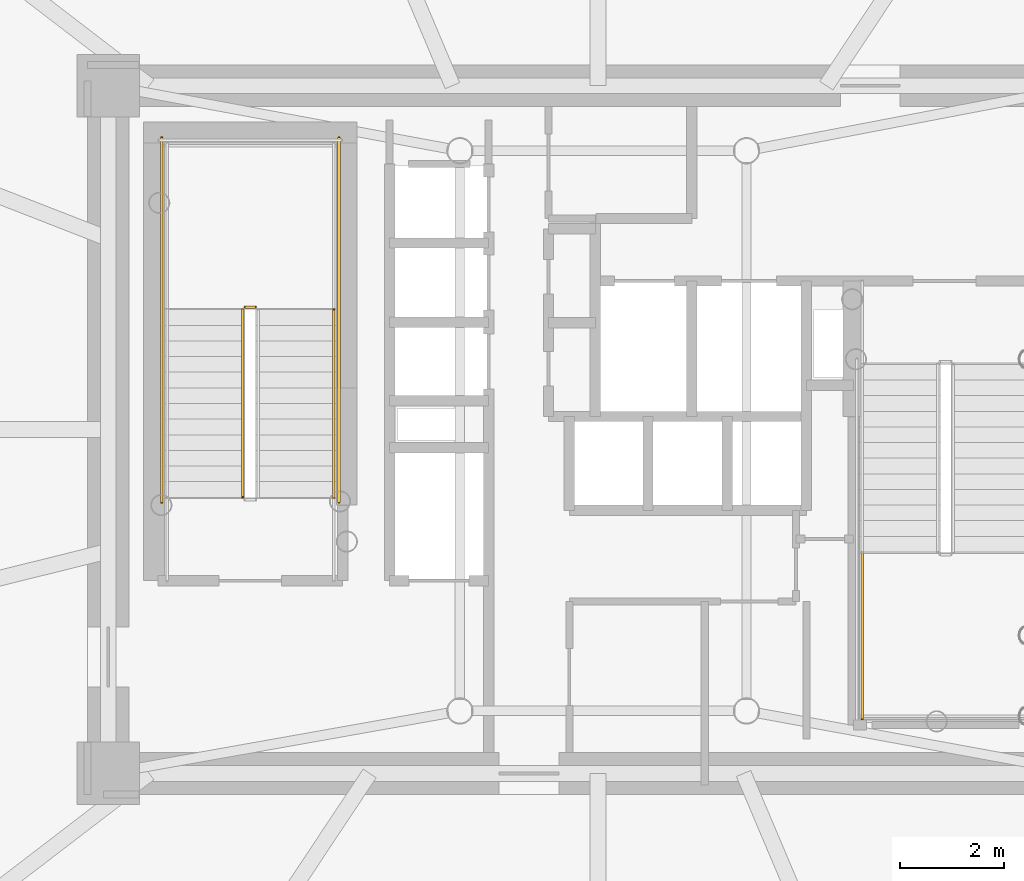
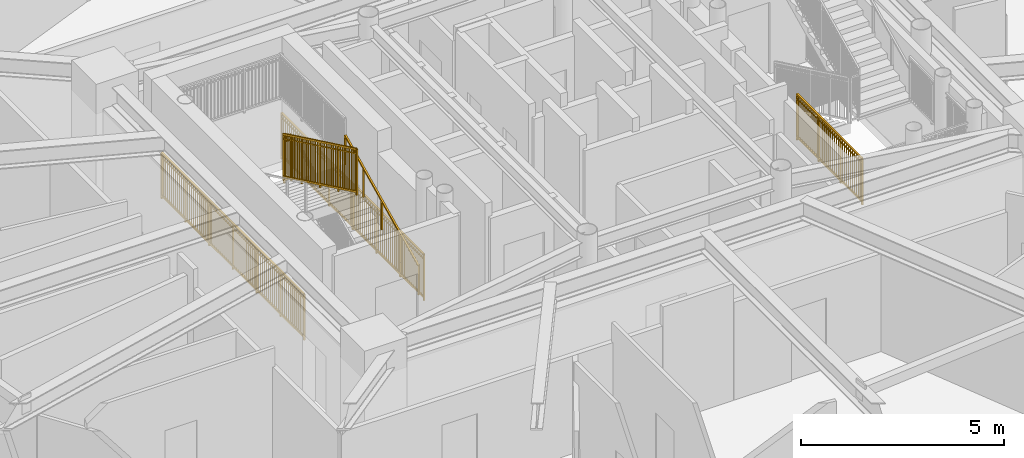
# One storey, part 16 of 21: 6 railings.
"""IFC4 building model written with IfcOpenShell, lengths in metres."""

from ifc_helpers import new_model, si_unit, direction, frame, origin, origin_2d, place, context, subcontext, project, spatial, rectangle, extrude, source, transform, mapped, material, type_object, element, save


model = new_model("IFC4")

# Units and contexts
model_context = context("Model", 3, precision=1e-05, world=origin(), true_north=direction((0.0, 1.0)))
body_context = subcontext(model_context, "Body", "Model", "MODEL_VIEW")
ifc_project = project(units=[si_unit("LENGTHUNIT", "METRE"), si_unit("AREAUNIT", "SQUARE_METRE"), si_unit("VOLUMEUNIT", "CUBIC_METRE"), si_unit("PLANEANGLEUNIT", "RADIAN"), si_unit("MASSUNIT", "GRAM", prefix="KILO")], contexts=[model_context])

# Site, building, storey
site_placement = place(None, origin())
site = spatial("IfcSite", under=ifc_project, at=site_placement, CompositionType="ELEMENT")
building_placement = place(site_placement, origin())
building = spatial("IfcBuilding", under=site, at=building_placement, Name="Linh Dai School and Residence Tower", CompositionType="ELEMENT")
storey_placement = place(building_placement, frame((0.0, 0.0, 156.14990234375)))
storey = spatial("IfcBuildingStorey", under=building, at=storey_placement, Name="L37", CompositionType="ELEMENT", Elevation=156.14990234375)

# Railings
ifc_material_1 = material(Name="Structural Steel S355JR", Category="steel")
railing_type_1 = type_object("IfcRailingType", Name="RL-ST-GUARD-1400", PredefinedType="GUARDRAIL", material=ifc_material_1)
shared_shape_1 = source(origin(), body_context, "Body", "SweptSolid", [
    extrude(rectangle(XDim=0.048095703125, YDim=0.048095703125, at=origin_2d()), frame((0.0, 0.0, 1.3759765625), z_axis=(-1.0, 0.0, 0.0), x_axis=(0.0, -1.0, 0.0)), (0.0, 0.0, 1.0), 0.199951171875),
    extrude(rectangle(XDim=0.048095703125, YDim=0.048095703125, at=origin_2d()), frame((0.0, 0.0, 0.10009765625), z_axis=(-1.0, 0.0, 0.0), x_axis=(0.0, -1.0, 0.0)), (0.0, 0.0, 1.0), 0.199951171875),
    extrude(rectangle(XDim=0.030029296875, YDim=0.030029296875, at=origin_2d()), frame((0.0, 0.0, 1.239990234375), z_axis=(-1.0, 0.0, 0.0), x_axis=(0.0, -1.0, 0.0)), (0.0, 0.0, 1.0), 0.199951171875),
    extrude(rectangle(XDim=0.0419921875, YDim=0.0419921875, at=origin_2d()), origin(), (0.0, 0.0, 1.0), 1.3759765625),
    extrude(rectangle(XDim=0.0419921875, YDim=0.0419921875, at=origin_2d()), frame((-0.199951171875, 0.0, 0.0)), (0.0, 0.0, 1.0), 1.3759765625),
])
railing_1_placement = place(storey_placement, frame((29.429931640625, 29.35009765625, 1.875)))
element("IfcRailing", 1, at=railing_1_placement, inside=storey, type_object=railing_type_1, Name="L37 ST1 stair guard 2", PredefinedType="GUARDRAIL", context=body_context, shape_type="MappedRepresentation", body=[
    mapped(shared_shape_1, transform((0.0, 0.0, 0.0), x_axis=(1.0, 0.0, 0.0), y_axis=(0.0, 1.0, 0.0), z_axis=(0.0, 0.0, 1.0), scale=1.0)),
])
shared_shape_2 = source(origin(), body_context, "Body", "SweptSolid", [
    extrude(rectangle(XDim=0.048095703125, YDim=0.048095703125, at=origin_2d()), frame((0.0, 0.0, 1.3759765625), z_axis=(0.0, 1.0, 0.0), x_axis=(-1.0, 0.0, 0.0)), (0.0, 0.0, 1.0), 7.0),
    extrude(rectangle(XDim=0.048095703125, YDim=0.048095703125, at=origin_2d()), frame((0.0, 0.0, 0.10009765625), z_axis=(0.0, 1.0, 0.0), x_axis=(-1.0, 0.0, 0.0)), (0.0, 0.0, 1.0), 7.0),
    extrude(rectangle(XDim=0.030029296875, YDim=0.030029296875, at=origin_2d()), frame((0.0, 0.0, 1.239990234375), z_axis=(0.0, 1.0, 0.0), x_axis=(-1.0, 0.0, 0.0)), (0.0, 0.0, 1.0), 7.0),
    extrude(rectangle(XDim=0.02001953125, YDim=0.02001953125, at=origin_2d()), frame((0.0, 0.09716796875, 0.10009765625)), (0.0, 0.0, 1.0), 1.251708984375),
    extrude(rectangle(XDim=0.02001953125, YDim=0.02001953125, at=origin_2d()), frame((0.0, 0.1943359375, 0.10009765625)), (0.0, 0.0, 1.0), 1.251708984375),
    extrude(rectangle(XDim=0.02001953125, YDim=0.02001953125, at=origin_2d()), frame((0.0, 0.291748046875, 0.10009765625)), (0.0, 0.0, 1.0), 1.251708984375),
    extrude(rectangle(XDim=0.02001953125, YDim=0.02001953125, at=origin_2d()), frame((0.0, 0.388916015625, 0.10009765625)), (0.0, 0.0, 1.0), 1.251708984375),
    extrude(rectangle(XDim=0.02001953125, YDim=0.02001953125, at=origin_2d()), frame((0.0, 0.486083984375, 0.10009765625)), (0.0, 0.0, 1.0), 1.251708984375),
    extrude(rectangle(XDim=0.02001953125, YDim=0.02001953125, at=origin_2d()), frame((0.0, 0.583251953125, 0.10009765625)), (0.0, 0.0, 1.0), 1.251708984375),
    extrude(rectangle(XDim=0.02001953125, YDim=0.02001953125, at=origin_2d()), frame((0.0, 0.6806640625, 0.10009765625)), (0.0, 0.0, 1.0), 1.251708984375),
    extrude(rectangle(XDim=0.02001953125, YDim=0.02001953125, at=origin_2d()), frame((0.0, 0.77783203125, 0.10009765625)), (0.0, 0.0, 1.0), 1.251708984375),
    extrude(rectangle(XDim=0.02001953125, YDim=0.02001953125, at=origin_2d()), frame((0.0, 0.875, 0.10009765625)), (0.0, 0.0, 1.0), 1.251708984375),
    extrude(rectangle(XDim=0.02001953125, YDim=0.02001953125, at=origin_2d()), frame((0.0, 0.97216796875, 0.10009765625)), (0.0, 0.0, 1.0), 1.251708984375),
    extrude(rectangle(XDim=0.02001953125, YDim=0.02001953125, at=origin_2d()), frame((0.0, 1.0693359375, 0.10009765625)), (0.0, 0.0, 1.0), 1.251708984375),
    extrude(rectangle(XDim=0.02001953125, YDim=0.02001953125, at=origin_2d()), frame((0.0, 1.263916015625, 0.10009765625)), (0.0, 0.0, 1.0), 1.251708984375),
    extrude(rectangle(XDim=0.02001953125, YDim=0.02001953125, at=origin_2d()), frame((0.0, 1.361083984375, 0.10009765625)), (0.0, 0.0, 1.0), 1.251708984375),
    extrude(rectangle(XDim=0.02001953125, YDim=0.02001953125, at=origin_2d()), frame((0.0, 1.458251953125, 0.10009765625)), (0.0, 0.0, 1.0), 1.251708984375),
    extrude(rectangle(XDim=0.02001953125, YDim=0.02001953125, at=origin_2d()), frame((0.0, 1.5556640625, 0.10009765625)), (0.0, 0.0, 1.0), 1.251708984375),
    extrude(rectangle(XDim=0.02001953125, YDim=0.02001953125, at=origin_2d()), frame((0.0, 1.65283203125, 0.10009765625)), (0.0, 0.0, 1.0), 1.251708984375),
    extrude(rectangle(XDim=0.02001953125, YDim=0.02001953125, at=origin_2d()), frame((0.0, 1.75, 0.10009765625)), (0.0, 0.0, 1.0), 1.251708984375),
    extrude(rectangle(XDim=0.02001953125, YDim=0.02001953125, at=origin_2d()), frame((0.0, 1.84716796875, 0.10009765625)), (0.0, 0.0, 1.0), 1.251708984375),
    extrude(rectangle(XDim=0.02001953125, YDim=0.02001953125, at=origin_2d()), frame((0.0, 1.9443359375, 0.10009765625)), (0.0, 0.0, 1.0), 1.251708984375),
    extrude(rectangle(XDim=0.02001953125, YDim=0.02001953125, at=origin_2d()), frame((0.0, 2.041748046875, 0.10009765625)), (0.0, 0.0, 1.0), 1.251708984375),
    extrude(rectangle(XDim=0.02001953125, YDim=0.02001953125, at=origin_2d()), frame((0.0, 2.138916015625, 0.10009765625)), (0.0, 0.0, 1.0), 1.251708984375),
    extrude(rectangle(XDim=0.02001953125, YDim=0.02001953125, at=origin_2d()), frame((0.0, 2.236083984375, 0.10009765625)), (0.0, 0.0, 1.0), 1.251708984375),
    extrude(rectangle(XDim=0.02001953125, YDim=0.02001953125, at=origin_2d()), frame((0.0, 2.4306640625, 0.10009765625)), (0.0, 0.0, 1.0), 1.251708984375),
    extrude(rectangle(XDim=0.02001953125, YDim=0.02001953125, at=origin_2d()), frame((0.0, 2.52783203125, 0.10009765625)), (0.0, 0.0, 1.0), 1.251708984375),
    extrude(rectangle(XDim=0.02001953125, YDim=0.02001953125, at=origin_2d()), frame((0.0, 2.625, 0.10009765625)), (0.0, 0.0, 1.0), 1.251708984375),
    extrude(rectangle(XDim=0.02001953125, YDim=0.02001953125, at=origin_2d()), frame((0.0, 2.72216796875, 0.10009765625)), (0.0, 0.0, 1.0), 1.251708984375),
    extrude(rectangle(XDim=0.02001953125, YDim=0.02001953125, at=origin_2d()), frame((0.0, 2.8193359375, 0.10009765625)), (0.0, 0.0, 1.0), 1.251708984375),
    extrude(rectangle(XDim=0.02001953125, YDim=0.02001953125, at=origin_2d()), frame((0.0, 2.916748046875, 0.10009765625)), (0.0, 0.0, 1.0), 1.251708984375),
    extrude(rectangle(XDim=0.02001953125, YDim=0.02001953125, at=origin_2d()), frame((0.0, 3.013916015625, 0.10009765625)), (0.0, 0.0, 1.0), 1.251708984375),
    extrude(rectangle(XDim=0.02001953125, YDim=0.02001953125, at=origin_2d()), frame((0.0, 3.111083984375, 0.10009765625)), (0.0, 0.0, 1.0), 1.251708984375),
    extrude(rectangle(XDim=0.02001953125, YDim=0.02001953125, at=origin_2d()), frame((0.0, 3.208251953125, 0.10009765625)), (0.0, 0.0, 1.0), 1.251708984375),
    extrude(rectangle(XDim=0.02001953125, YDim=0.02001953125, at=origin_2d()), frame((0.0, 3.3056640625, 0.10009765625)), (0.0, 0.0, 1.0), 1.251708984375),
    extrude(rectangle(XDim=0.02001953125, YDim=0.02001953125, at=origin_2d()), frame((0.0, 3.40283203125, 0.10009765625)), (0.0, 0.0, 1.0), 1.251708984375),
    extrude(rectangle(XDim=0.02001953125, YDim=0.02001953125, at=origin_2d()), frame((0.0, 3.59716796875, 0.10009765625)), (0.0, 0.0, 1.0), 1.251708984375),
    extrude(rectangle(XDim=0.02001953125, YDim=0.02001953125, at=origin_2d()), frame((0.0, 3.6943359375, 0.10009765625)), (0.0, 0.0, 1.0), 1.251708984375),
    extrude(rectangle(XDim=0.02001953125, YDim=0.02001953125, at=origin_2d()), frame((0.0, 3.791748046875, 0.10009765625)), (0.0, 0.0, 1.0), 1.251708984375),
    extrude(rectangle(XDim=0.02001953125, YDim=0.02001953125, at=origin_2d()), frame((0.0, 3.888916015625, 0.10009765625)), (0.0, 0.0, 1.0), 1.251708984375),
    extrude(rectangle(XDim=0.02001953125, YDim=0.02001953125, at=origin_2d()), frame((0.0, 3.986083984375, 0.10009765625)), (0.0, 0.0, 1.0), 1.251708984375),
    extrude(rectangle(XDim=0.02001953125, YDim=0.02001953125, at=origin_2d()), frame((0.0, 4.083251953125, 0.10009765625)), (0.0, 0.0, 1.0), 1.251708984375),
    extrude(rectangle(XDim=0.02001953125, YDim=0.02001953125, at=origin_2d()), frame((0.0, 4.1806640625, 0.10009765625)), (0.0, 0.0, 1.0), 1.251708984375),
    extrude(rectangle(XDim=0.02001953125, YDim=0.02001953125, at=origin_2d()), frame((0.0, 4.27783203125, 0.10009765625)), (0.0, 0.0, 1.0), 1.251708984375),
    extrude(rectangle(XDim=0.02001953125, YDim=0.02001953125, at=origin_2d()), frame((0.0, 4.375, 0.10009765625)), (0.0, 0.0, 1.0), 1.251708984375),
    extrude(rectangle(XDim=0.02001953125, YDim=0.02001953125, at=origin_2d()), frame((0.0, 4.47216796875, 0.10009765625)), (0.0, 0.0, 1.0), 1.251708984375),
    extrude(rectangle(XDim=0.02001953125, YDim=0.02001953125, at=origin_2d()), frame((0.0, 4.5693359375, 0.10009765625)), (0.0, 0.0, 1.0), 1.251708984375),
    extrude(rectangle(XDim=0.02001953125, YDim=0.02001953125, at=origin_2d()), frame((0.0, 4.763916015625, 0.10009765625)), (0.0, 0.0, 1.0), 1.251708984375),
    extrude(rectangle(XDim=0.02001953125, YDim=0.02001953125, at=origin_2d()), frame((0.0, 4.861083984375, 0.10009765625)), (0.0, 0.0, 1.0), 1.251708984375),
    extrude(rectangle(XDim=0.02001953125, YDim=0.02001953125, at=origin_2d()), frame((0.0, 4.958251953125, 0.10009765625)), (0.0, 0.0, 1.0), 1.251708984375),
    extrude(rectangle(XDim=0.02001953125, YDim=0.02001953125, at=origin_2d()), frame((0.0, 5.0556640625, 0.10009765625)), (0.0, 0.0, 1.0), 1.251708984375),
    extrude(rectangle(XDim=0.02001953125, YDim=0.02001953125, at=origin_2d()), frame((0.0, 5.15283203125, 0.10009765625)), (0.0, 0.0, 1.0), 1.251708984375),
    extrude(rectangle(XDim=0.02001953125, YDim=0.02001953125, at=origin_2d()), frame((0.0, 5.25, 0.10009765625)), (0.0, 0.0, 1.0), 1.251708984375),
    extrude(rectangle(XDim=0.02001953125, YDim=0.02001953125, at=origin_2d()), frame((0.0, 5.34716796875, 0.10009765625)), (0.0, 0.0, 1.0), 1.251708984375),
    extrude(rectangle(XDim=0.02001953125, YDim=0.02001953125, at=origin_2d()), frame((0.0, 5.4443359375, 0.10009765625)), (0.0, 0.0, 1.0), 1.251708984375),
    extrude(rectangle(XDim=0.02001953125, YDim=0.02001953125, at=origin_2d()), frame((0.0, 5.541748046875, 0.10009765625)), (0.0, 0.0, 1.0), 1.251708984375),
    extrude(rectangle(XDim=0.02001953125, YDim=0.02001953125, at=origin_2d()), frame((0.0, 5.638916015625, 0.10009765625)), (0.0, 0.0, 1.0), 1.251708984375),
    extrude(rectangle(XDim=0.02001953125, YDim=0.02001953125, at=origin_2d()), frame((0.0, 5.736083984375, 0.10009765625)), (0.0, 0.0, 1.0), 1.251708984375),
    extrude(rectangle(XDim=0.02001953125, YDim=0.02001953125, at=origin_2d()), frame((0.0, 5.9306640625, 0.10009765625)), (0.0, 0.0, 1.0), 1.251708984375),
    extrude(rectangle(XDim=0.02001953125, YDim=0.02001953125, at=origin_2d()), frame((0.0, 6.02783203125, 0.10009765625)), (0.0, 0.0, 1.0), 1.251708984375),
    extrude(rectangle(XDim=0.02001953125, YDim=0.02001953125, at=origin_2d()), frame((0.0, 6.125, 0.10009765625)), (0.0, 0.0, 1.0), 1.251708984375),
    extrude(rectangle(XDim=0.02001953125, YDim=0.02001953125, at=origin_2d()), frame((0.0, 6.22216796875, 0.10009765625)), (0.0, 0.0, 1.0), 1.251708984375),
    extrude(rectangle(XDim=0.02001953125, YDim=0.02001953125, at=origin_2d()), frame((0.0, 6.3193359375, 0.10009765625)), (0.0, 0.0, 1.0), 1.251708984375),
    extrude(rectangle(XDim=0.02001953125, YDim=0.02001953125, at=origin_2d()), frame((0.0, 6.416748046875, 0.10009765625)), (0.0, 0.0, 1.0), 1.251708984375),
    extrude(rectangle(XDim=0.02001953125, YDim=0.02001953125, at=origin_2d()), frame((0.0, 6.513916015625, 0.10009765625)), (0.0, 0.0, 1.0), 1.251708984375),
    extrude(rectangle(XDim=0.02001953125, YDim=0.02001953125, at=origin_2d()), frame((0.0, 6.611083984375, 0.10009765625)), (0.0, 0.0, 1.0), 1.251708984375),
    extrude(rectangle(XDim=0.02001953125, YDim=0.02001953125, at=origin_2d()), frame((0.0, 6.708251953125, 0.10009765625)), (0.0, 0.0, 1.0), 1.251708984375),
    extrude(rectangle(XDim=0.02001953125, YDim=0.02001953125, at=origin_2d()), frame((0.0, 6.8056640625, 0.10009765625)), (0.0, 0.0, 1.0), 1.251708984375),
    extrude(rectangle(XDim=0.02001953125, YDim=0.02001953125, at=origin_2d()), frame((0.0, 6.90283203125, 0.10009765625)), (0.0, 0.0, 1.0), 1.251708984375),
    extrude(rectangle(XDim=0.0419921875, YDim=0.0419921875, at=origin_2d()), origin(), (0.0, 0.0, 1.0), 1.3759765625),
    extrude(rectangle(XDim=0.0419921875, YDim=0.0419921875, at=origin_2d()), frame((0.0, 1.166748046875, 0.0)), (0.0, 0.0, 1.0), 1.3759765625),
    extrude(rectangle(XDim=0.0419921875, YDim=0.0419921875, at=origin_2d()), frame((0.0, 2.333251953125, 0.0)), (0.0, 0.0, 1.0), 1.3759765625),
    extrude(rectangle(XDim=0.0419921875, YDim=0.0419921875, at=origin_2d()), frame((0.0, 3.5, 0.0)), (0.0, 0.0, 1.0), 1.3759765625),
    extrude(rectangle(XDim=0.0419921875, YDim=0.0419921875, at=origin_2d()), frame((0.0, 4.666748046875, 0.0)), (0.0, 0.0, 1.0), 1.3759765625),
    extrude(rectangle(XDim=0.0419921875, YDim=0.0419921875, at=origin_2d()), frame((0.0, 5.833251953125, 0.0)), (0.0, 0.0, 1.0), 1.3759765625),
    extrude(rectangle(XDim=0.0419921875, YDim=0.0419921875, at=origin_2d()), frame((0.0, 7.0, 0.0)), (0.0, 0.0, 1.0), 1.3759765625),
])
for number, where, name in (
    (2, (31.030029296875, 25.60009765625, 0.0), "L37 ST1 stair guard 10"),
    (3, (27.6298828125, 25.60009765625, 0.0), "L37 ST1 stair guard 11"),
):
    element("IfcRailing", number, at=place(storey_placement, frame(where)), inside=storey, type_object=railing_type_1, Name=name, PredefinedType="GUARDRAIL", context=body_context, shape_type="MappedRepresentation", body=[
        mapped(shared_shape_2, transform((0.0, 0.0, 0.0), x_axis=(1.0, 0.0, 0.0), y_axis=(0.0, 1.0, 0.0), z_axis=(0.0, 0.0, 1.0), scale=1.0)),
    ])
shared_shape_3 = source(origin(), body_context, "Body", "SweptSolid", [
    extrude(rectangle(XDim=0.048095703125, YDim=0.048095703125, at=origin_2d()), frame((0.0, 0.0, 1.3759765625), z_axis=(0.0, -0.901262522062, 0.433273431364), x_axis=(1.0, 0.0, 0.0)), (0.0, 0.0, 1.0), 3.994384765625),
    extrude(rectangle(XDim=0.048095703125, YDim=0.048095703125, at=origin_2d()), frame((0.0, 0.0, 0.10009765625), z_axis=(0.0, -0.901262522062, 0.433273431364), x_axis=(1.0, 0.0, 0.0)), (0.0, 0.0, 1.0), 3.994384765625),
    extrude(rectangle(XDim=0.030029296875, YDim=0.030029296875, at=origin_2d()), frame((0.0, 0.0, 1.239990234375), z_axis=(0.0, -0.901262522062, 0.433273431364), x_axis=(1.0, 0.0, 0.0)), (0.0, 0.0, 1.0), 3.994384765625),
    extrude(rectangle(XDim=0.02001953125, YDim=0.02001953125, at=origin_2d()), frame((0.0, -0.087890625, 0.142333984375)), (0.0, 0.0, 1.0), 1.251708984375),
    extrude(rectangle(XDim=0.02001953125, YDim=0.02001953125, at=origin_2d()), frame((0.0, -0.175537109375, 0.1845703125)), (0.0, 0.0, 1.0), 1.251708984375),
    extrude(rectangle(XDim=0.02001953125, YDim=0.02001953125, at=origin_2d()), frame((0.0, -0.263427734375, 0.226806640625)), (0.0, 0.0, 1.0), 1.251708984375),
    extrude(rectangle(XDim=0.02001953125, YDim=0.02001953125, at=origin_2d()), frame((0.0, -0.351318359375, 0.26904296875)), (0.0, 0.0, 1.0), 1.251708984375),
    extrude(rectangle(XDim=0.02001953125, YDim=0.02001953125, at=origin_2d()), frame((0.0, -0.43896484375, 0.311279296875)), (0.0, 0.0, 1.0), 1.251708984375),
    extrude(rectangle(XDim=0.02001953125, YDim=0.02001953125, at=origin_2d()), frame((0.0, -0.52685546875, 0.353271484375)), (0.0, 0.0, 1.0), 1.251708984375),
    extrude(rectangle(XDim=0.02001953125, YDim=0.02001953125, at=origin_2d()), frame((0.0, -0.61474609375, 0.3955078125)), (0.0, 0.0, 1.0), 1.251708984375),
    extrude(rectangle(XDim=0.02001953125, YDim=0.02001953125, at=origin_2d()), frame((0.0, -0.702392578125, 0.437744140625)), (0.0, 0.0, 1.0), 1.251708984375),
    extrude(rectangle(XDim=0.02001953125, YDim=0.02001953125, at=origin_2d()), frame((0.0, -0.790283203125, 0.47998046875)), (0.0, 0.0, 1.0), 1.251708984375),
    extrude(rectangle(XDim=0.02001953125, YDim=0.02001953125, at=origin_2d()), frame((0.0, -0.9658203125, 0.564453125)), (0.0, 0.0, 1.0), 1.251708984375),
    extrude(rectangle(XDim=0.02001953125, YDim=0.02001953125, at=origin_2d()), frame((0.0, -1.0537109375, 0.606689453125)), (0.0, 0.0, 1.0), 1.251708984375),
    extrude(rectangle(XDim=0.02001953125, YDim=0.02001953125, at=origin_2d()), frame((0.0, -1.1416015625, 0.64892578125)), (0.0, 0.0, 1.0), 1.251708984375),
    extrude(rectangle(XDim=0.02001953125, YDim=0.02001953125, at=origin_2d()), frame((0.0, -1.229248046875, 0.691162109375)), (0.0, 0.0, 1.0), 1.251708984375),
    extrude(rectangle(XDim=0.02001953125, YDim=0.02001953125, at=origin_2d()), frame((0.0, -1.317138671875, 0.7333984375)), (0.0, 0.0, 1.0), 1.251708984375),
    extrude(rectangle(XDim=0.02001953125, YDim=0.02001953125, at=origin_2d()), frame((0.0, -1.405029296875, 0.775390625)), (0.0, 0.0, 1.0), 1.251708984375),
    extrude(rectangle(XDim=0.02001953125, YDim=0.02001953125, at=origin_2d()), frame((0.0, -1.49267578125, 0.817626953125)), (0.0, 0.0, 1.0), 1.251708984375),
    extrude(rectangle(XDim=0.02001953125, YDim=0.02001953125, at=origin_2d()), frame((0.0, -1.58056640625, 0.85986328125)), (0.0, 0.0, 1.0), 1.251708984375),
    extrude(rectangle(XDim=0.02001953125, YDim=0.02001953125, at=origin_2d()), frame((0.0, -1.66845703125, 0.902099609375)), (0.0, 0.0, 1.0), 1.251708984375),
    extrude(rectangle(XDim=0.02001953125, YDim=0.02001953125, at=origin_2d()), frame((0.0, -1.756103515625, 0.9443359375)), (0.0, 0.0, 1.0), 1.251708984375),
    extrude(rectangle(XDim=0.02001953125, YDim=0.02001953125, at=origin_2d()), frame((0.0, -1.843994140625, 0.986572265625)), (0.0, 0.0, 1.0), 1.251708984375),
    extrude(rectangle(XDim=0.02001953125, YDim=0.02001953125, at=origin_2d()), frame((0.0, -1.931640625, 1.02880859375)), (0.0, 0.0, 1.0), 1.251708984375),
    extrude(rectangle(XDim=0.02001953125, YDim=0.02001953125, at=origin_2d()), frame((0.0, -2.01953125, 1.071044921875)), (0.0, 0.0, 1.0), 1.251708984375),
    extrude(rectangle(XDim=0.02001953125, YDim=0.02001953125, at=origin_2d()), frame((0.0, -2.107421875, 1.11328125)), (0.0, 0.0, 1.0), 1.251708984375),
    extrude(rectangle(XDim=0.02001953125, YDim=0.02001953125, at=origin_2d()), frame((0.0, -2.195068359375, 1.155517578125)), (0.0, 0.0, 1.0), 1.251708984375),
    extrude(rectangle(XDim=0.02001953125, YDim=0.02001953125, at=origin_2d()), frame((0.0, -2.282958984375, 1.197509765625)), (0.0, 0.0, 1.0), 1.251708984375),
    extrude(rectangle(XDim=0.02001953125, YDim=0.02001953125, at=origin_2d()), frame((0.0, -2.370849609375, 1.23974609375)), (0.0, 0.0, 1.0), 1.251708984375),
    extrude(rectangle(XDim=0.02001953125, YDim=0.02001953125, at=origin_2d()), frame((0.0, -2.45849609375, 1.281982421875)), (0.0, 0.0, 1.0), 1.251708984375),
    extrude(rectangle(XDim=0.02001953125, YDim=0.02001953125, at=origin_2d()), frame((0.0, -2.54638671875, 1.32421875)), (0.0, 0.0, 1.0), 1.251708984375),
    extrude(rectangle(XDim=0.02001953125, YDim=0.02001953125, at=origin_2d()), frame((0.0, -2.63427734375, 1.366455078125)), (0.0, 0.0, 1.0), 1.251708984375),
    extrude(rectangle(XDim=0.02001953125, YDim=0.02001953125, at=origin_2d()), frame((0.0, -2.809814453125, 1.450927734375)), (0.0, 0.0, 1.0), 1.251708984375),
    extrude(rectangle(XDim=0.02001953125, YDim=0.02001953125, at=origin_2d()), frame((0.0, -2.897705078125, 1.4931640625)), (0.0, 0.0, 1.0), 1.251708984375),
    extrude(rectangle(XDim=0.02001953125, YDim=0.02001953125, at=origin_2d()), frame((0.0, -2.9853515625, 1.535400390625)), (0.0, 0.0, 1.0), 1.251708984375),
    extrude(rectangle(XDim=0.02001953125, YDim=0.02001953125, at=origin_2d()), frame((0.0, -3.0732421875, 1.57763671875)), (0.0, 0.0, 1.0), 1.251708984375),
    extrude(rectangle(XDim=0.02001953125, YDim=0.02001953125, at=origin_2d()), frame((0.0, -3.1611328125, 1.61962890625)), (0.0, 0.0, 1.0), 1.251708984375),
    extrude(rectangle(XDim=0.02001953125, YDim=0.02001953125, at=origin_2d()), frame((0.0, -3.248779296875, 1.661865234375)), (0.0, 0.0, 1.0), 1.251708984375),
    extrude(rectangle(XDim=0.02001953125, YDim=0.02001953125, at=origin_2d()), frame((0.0, -3.336669921875, 1.7041015625)), (0.0, 0.0, 1.0), 1.251708984375),
    extrude(rectangle(XDim=0.02001953125, YDim=0.02001953125, at=origin_2d()), frame((0.0, -3.424560546875, 1.746337890625)), (0.0, 0.0, 1.0), 1.251708984375),
    extrude(rectangle(XDim=0.02001953125, YDim=0.02001953125, at=origin_2d()), frame((0.0, -3.51220703125, 1.78857421875)), (0.0, 0.0, 1.0), 1.251708984375),
    extrude(rectangle(XDim=0.0419921875, YDim=0.0419921875, at=origin_2d()), origin(), (0.0, 0.0, 1.0), 1.3759765625),
    extrude(rectangle(XDim=0.0419921875, YDim=0.0419921875, at=origin_2d()), frame((0.0, -0.89990234375, 0.4326171875)), (0.0, 0.0, 1.0), 1.3759765625),
    extrude(rectangle(XDim=0.0419921875, YDim=0.0419921875, at=origin_2d()), frame((0.0, -1.800048828125, 0.865234375)), (0.0, 0.0, 1.0), 1.3759765625),
    extrude(rectangle(XDim=0.0419921875, YDim=0.0419921875, at=origin_2d()), frame((0.0, -2.7001953125, 1.298095703125)), (0.0, 0.0, 1.0), 1.3759765625),
    extrude(rectangle(XDim=0.0419921875, YDim=0.0419921875, at=origin_2d()), frame((0.0, -3.60009765625, 1.730712890625)), (0.0, 0.0, 1.0), 1.3759765625),
])
railing_2_placement = place(storey_placement, frame((29.179931640625, 29.300048828125, 2.019287109375)))
element("IfcRailing", 4, at=railing_2_placement, inside=storey, type_object=railing_type_1, Name="L37 ST1 stair guard 6", PredefinedType="GUARDRAIL", context=body_context, shape_type="MappedRepresentation", body=[
    mapped(shared_shape_3, transform((0.0, 0.0, 0.0), x_axis=(1.0, 0.0, 0.0), y_axis=(0.0, 1.0, 0.0), z_axis=(0.0, 0.0, 1.0), scale=1.0)),
])
ifc_material_2 = material(Name="Brushed Stainless Steel Handrail", Category="steel")
railing_type_2 = type_object("IfcRailingType", Name="RL-ST-HANDRAIL-900", PredefinedType="HANDRAIL", material=ifc_material_2)
shared_shape_4 = source(origin(), body_context, "Body", "SweptSolid", [
    extrude(rectangle(XDim=0.048095703125, YDim=0.048095703125, at=origin_2d()), frame((0.0, 0.0, 0.8759765625), z_axis=(0.0, 0.901262522062, 0.433273431364), x_axis=(-1.0, 0.0, 0.0)), (0.0, 0.0, 1.0), 3.994384765625),
    extrude(rectangle(XDim=0.0419921875, YDim=0.0419921875, at=origin_2d()), origin(), (0.0, 0.0, 1.0), 0.8759765625),
    extrude(rectangle(XDim=0.0419921875, YDim=0.0419921875, at=origin_2d()), frame((0.0, 0.89990234375, 0.4326171875)), (0.0, 0.0, 1.0), 0.8759765625),
    extrude(rectangle(XDim=0.0419921875, YDim=0.0419921875, at=origin_2d()), frame((0.0, 1.800048828125, 0.865234375)), (0.0, 0.0, 1.0), 0.8759765625),
    extrude(rectangle(XDim=0.0419921875, YDim=0.0419921875, at=origin_2d()), frame((0.0, 2.7001953125, 1.298095703125)), (0.0, 0.0, 1.0), 0.8759765625),
    extrude(rectangle(XDim=0.0419921875, YDim=0.0419921875, at=origin_2d()), frame((0.0, 3.60009765625, 1.730712890625)), (0.0, 0.0, 1.0), 0.8759765625),
])
railing_3_placement = place(storey_placement, frame((30.929931640625, 25.699951171875, 0.144287109375)))
element("IfcRailing", 5, at=railing_3_placement, inside=storey, type_object=railing_type_2, Name="L37 ST1 stair handrail 1", PredefinedType="HANDRAIL", context=body_context, shape_type="MappedRepresentation", body=[
    mapped(shared_shape_4, transform((0.0, 0.0, 0.0), x_axis=(1.0, 0.0, 0.0), y_axis=(0.0, 1.0, 0.0), z_axis=(0.0, 0.0, 1.0), scale=1.0)),
])
shared_shape_5 = source(origin(), body_context, "Body", "SweptSolid", [
    extrude(rectangle(XDim=0.048095703125, YDim=0.048095703125, at=origin_2d()), frame((0.0, 0.0, 1.3759765625), z_axis=(0.0, -1.0, 0.0), x_axis=(1.0, 0.0, 0.0)), (0.0, 0.0, 1.0), 3.199951171875),
    extrude(rectangle(XDim=0.048095703125, YDim=0.048095703125, at=origin_2d()), frame((0.0, 0.0, 0.10009765625), z_axis=(0.0, -1.0, 0.0), x_axis=(1.0, 0.0, 0.0)), (0.0, 0.0, 1.0), 3.199951171875),
    extrude(rectangle(XDim=0.030029296875, YDim=0.030029296875, at=origin_2d()), frame((0.0, 0.0, 1.239990234375), z_axis=(0.0, -1.0, 0.0), x_axis=(1.0, 0.0, 0.0)), (0.0, 0.0, 1.0), 3.199951171875),
    extrude(rectangle(XDim=0.02001953125, YDim=0.02001953125, at=origin_2d()), frame((0.0, -0.096923828125, 0.10009765625)), (0.0, 0.0, 1.0), 1.251708984375),
    extrude(rectangle(XDim=0.02001953125, YDim=0.02001953125, at=origin_2d()), frame((0.0, -0.19384765625, 0.10009765625)), (0.0, 0.0, 1.0), 1.251708984375),
    extrude(rectangle(XDim=0.02001953125, YDim=0.02001953125, at=origin_2d()), frame((0.0, -0.291015625, 0.10009765625)), (0.0, 0.0, 1.0), 1.251708984375),
    extrude(rectangle(XDim=0.02001953125, YDim=0.02001953125, at=origin_2d()), frame((0.0, -0.387939453125, 0.10009765625)), (0.0, 0.0, 1.0), 1.251708984375),
    extrude(rectangle(XDim=0.02001953125, YDim=0.02001953125, at=origin_2d()), frame((0.0, -0.48486328125, 0.10009765625)), (0.0, 0.0, 1.0), 1.251708984375),
    extrude(rectangle(XDim=0.02001953125, YDim=0.02001953125, at=origin_2d()), frame((0.0, -0.581787109375, 0.10009765625)), (0.0, 0.0, 1.0), 1.251708984375),
    extrude(rectangle(XDim=0.02001953125, YDim=0.02001953125, at=origin_2d()), frame((0.0, -0.6787109375, 0.10009765625)), (0.0, 0.0, 1.0), 1.251708984375),
    extrude(rectangle(XDim=0.02001953125, YDim=0.02001953125, at=origin_2d()), frame((0.0, -0.775634765625, 0.10009765625)), (0.0, 0.0, 1.0), 1.251708984375),
    extrude(rectangle(XDim=0.02001953125, YDim=0.02001953125, at=origin_2d()), frame((0.0, -0.872802734375, 0.10009765625)), (0.0, 0.0, 1.0), 1.251708984375),
    extrude(rectangle(XDim=0.02001953125, YDim=0.02001953125, at=origin_2d()), frame((0.0, -0.9697265625, 0.10009765625)), (0.0, 0.0, 1.0), 1.251708984375),
    extrude(rectangle(XDim=0.02001953125, YDim=0.02001953125, at=origin_2d()), frame((0.0, -1.16357421875, 0.10009765625)), (0.0, 0.0, 1.0), 1.251708984375),
    extrude(rectangle(XDim=0.02001953125, YDim=0.02001953125, at=origin_2d()), frame((0.0, -1.260498046875, 0.10009765625)), (0.0, 0.0, 1.0), 1.251708984375),
    extrude(rectangle(XDim=0.02001953125, YDim=0.02001953125, at=origin_2d()), frame((0.0, -1.357666015625, 0.10009765625)), (0.0, 0.0, 1.0), 1.251708984375),
    extrude(rectangle(XDim=0.02001953125, YDim=0.02001953125, at=origin_2d()), frame((0.0, -1.45458984375, 0.10009765625)), (0.0, 0.0, 1.0), 1.251708984375),
    extrude(rectangle(XDim=0.02001953125, YDim=0.02001953125, at=origin_2d()), frame((0.0, -1.551513671875, 0.10009765625)), (0.0, 0.0, 1.0), 1.251708984375),
    extrude(rectangle(XDim=0.02001953125, YDim=0.02001953125, at=origin_2d()), frame((0.0, -1.6484375, 0.10009765625)), (0.0, 0.0, 1.0), 1.251708984375),
    extrude(rectangle(XDim=0.02001953125, YDim=0.02001953125, at=origin_2d()), frame((0.0, -1.745361328125, 0.10009765625)), (0.0, 0.0, 1.0), 1.251708984375),
    extrude(rectangle(XDim=0.02001953125, YDim=0.02001953125, at=origin_2d()), frame((0.0, -1.84228515625, 0.10009765625)), (0.0, 0.0, 1.0), 1.251708984375),
    extrude(rectangle(XDim=0.02001953125, YDim=0.02001953125, at=origin_2d()), frame((0.0, -1.939453125, 0.10009765625)), (0.0, 0.0, 1.0), 1.251708984375),
    extrude(rectangle(XDim=0.02001953125, YDim=0.02001953125, at=origin_2d()), frame((0.0, -2.036376953125, 0.10009765625)), (0.0, 0.0, 1.0), 1.251708984375),
    extrude(rectangle(XDim=0.02001953125, YDim=0.02001953125, at=origin_2d()), frame((0.0, -2.230224609375, 0.10009765625)), (0.0, 0.0, 1.0), 1.251708984375),
    extrude(rectangle(XDim=0.02001953125, YDim=0.02001953125, at=origin_2d()), frame((0.0, -2.3271484375, 0.10009765625)), (0.0, 0.0, 1.0), 1.251708984375),
    extrude(rectangle(XDim=0.02001953125, YDim=0.02001953125, at=origin_2d()), frame((0.0, -2.42431640625, 0.10009765625)), (0.0, 0.0, 1.0), 1.251708984375),
    extrude(rectangle(XDim=0.02001953125, YDim=0.02001953125, at=origin_2d()), frame((0.0, -2.521240234375, 0.10009765625)), (0.0, 0.0, 1.0), 1.251708984375),
    extrude(rectangle(XDim=0.02001953125, YDim=0.02001953125, at=origin_2d()), frame((0.0, -2.6181640625, 0.10009765625)), (0.0, 0.0, 1.0), 1.251708984375),
    extrude(rectangle(XDim=0.02001953125, YDim=0.02001953125, at=origin_2d()), frame((0.0, -2.715087890625, 0.10009765625)), (0.0, 0.0, 1.0), 1.251708984375),
    extrude(rectangle(XDim=0.02001953125, YDim=0.02001953125, at=origin_2d()), frame((0.0, -2.81201171875, 0.10009765625)), (0.0, 0.0, 1.0), 1.251708984375),
    extrude(rectangle(XDim=0.02001953125, YDim=0.02001953125, at=origin_2d()), frame((0.0, -2.908935546875, 0.10009765625)), (0.0, 0.0, 1.0), 1.251708984375),
    extrude(rectangle(XDim=0.02001953125, YDim=0.02001953125, at=origin_2d()), frame((0.0, -3.006103515625, 0.10009765625)), (0.0, 0.0, 1.0), 1.251708984375),
    extrude(rectangle(XDim=0.02001953125, YDim=0.02001953125, at=origin_2d()), frame((0.0, -3.10302734375, 0.10009765625)), (0.0, 0.0, 1.0), 1.251708984375),
    extrude(rectangle(XDim=0.0419921875, YDim=0.0419921875, at=origin_2d()), origin(), (0.0, 0.0, 1.0), 1.3759765625),
    extrude(rectangle(XDim=0.0419921875, YDim=0.0419921875, at=origin_2d()), frame((0.0, -1.066650390625, 0.0)), (0.0, 0.0, 1.0), 1.3759765625),
    extrude(rectangle(XDim=0.0419921875, YDim=0.0419921875, at=origin_2d()), frame((0.0, -2.13330078125, 0.0)), (0.0, 0.0, 1.0), 1.3759765625),
    extrude(rectangle(XDim=0.0419921875, YDim=0.0419921875, at=origin_2d()), frame((0.0, -3.199951171875, 0.0)), (0.0, 0.0, 1.0), 1.3759765625),
])
railing_4_placement = place(storey_placement, frame((41.070068359375, 24.64990234375, 1.875)))
element("IfcRailing", 6, at=railing_4_placement, inside=storey, type_object=railing_type_1, Name="L37 ST2 stair guard 3", PredefinedType="GUARDRAIL", context=body_context, shape_type="MappedRepresentation", body=[
    mapped(shared_shape_5, transform((0.0, 0.0, 0.0), x_axis=(1.0, 0.0, 0.0), y_axis=(0.0, 1.0, 0.0), z_axis=(0.0, 0.0, 1.0), scale=1.0)),
])

save(model, "model.ifc")
